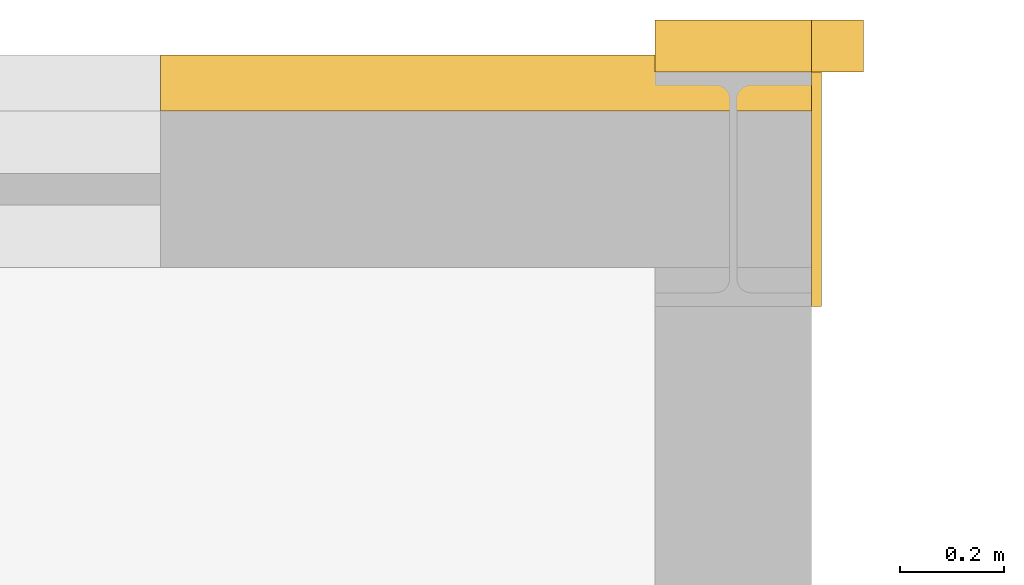
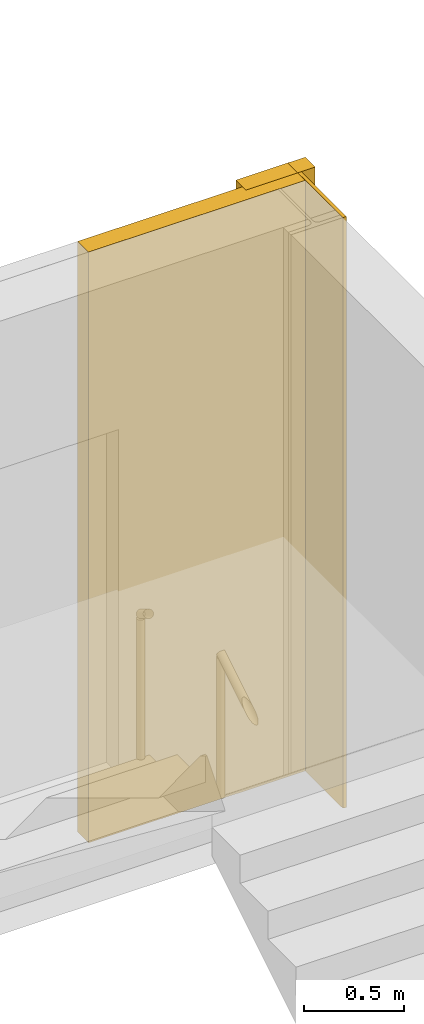
# One storey, part 118 of 120: 4 coverings.
"""IFC4 building model written with IfcOpenShell, lengths in metres."""

import ifcopenshell
import ifcopenshell.guid

model = None  # the IFC model being written
_history = None  # IfcOwnerHistory: only IFC2X3 demands one
_inside = {}  # id of a spatial element -> (the spatial element, [elements in it])
_under = {}  # id of a project, library or spatial element -> (it, [spatial elements below it])
_declared = {}  # id of a project -> (the project, [libraries it declares])
_typed = {}  # id of a type object -> (the type object, [elements of that type])
_made_of = {}  # id of a material, layer set ... -> (it, [elements and type objects made of it])


def new_model(schema):
    """Start an empty IFC model of exactly this schema.

    Asked for "IFC4X3", IfcOpenShell would pick the latest addendum, in which some entities
    have other attributes; the version numbers below select the first issue.
    IFC2X3 requires an IfcOwnerHistory on every rooted entity: one is made here for all.
    """
    global model, _history
    if schema == "IFC4X3":
        model = ifcopenshell.file(schema_version=(4, 3, 0, 0))
    else:
        model = ifcopenshell.file(schema=schema)
    _inside.clear()
    _under.clear()
    _declared.clear()
    _typed.clear()
    _made_of.clear()
    _history = None
    if model.schema == "IFC2X3":
        org = make("IfcOrganization", Name="unknown")
        user = make(
            "IfcPersonAndOrganization",
            ThePerson=make("IfcPerson", FamilyName="unknown"),
            TheOrganization=org,
        )
        app = make(
            "IfcApplication",
            ApplicationDeveloper=org,
            Version="unknown",
            ApplicationFullName="unknown",
            ApplicationIdentifier="unknown",
        )
        _history = make(
            "IfcOwnerHistory",
            OwningUser=user,
            OwningApplication=app,
            ChangeAction="ADDED",
            CreationDate=0,
        )
    return model


def make(cls, **values):
    """One entity of the class cls with the attributes given. An attribute that is None is left unset."""
    return model.create_entity(
        cls, **{name: value for name, value in values.items() if value is not None}
    )


def rooted(cls, **values):
    """An entity with a GlobalId (a new one), such as an element, a storey or a relation."""
    return make(cls, GlobalId=ifcopenshell.guid.new(), OwnerHistory=_history, **values)


def si_unit(unit_type, name, prefix=None):
    """IfcSIUnit, for example si_unit("LENGTHUNIT", "METRE", prefix="MILLI")."""
    return make("IfcSIUnit", UnitType=unit_type, Prefix=prefix, Name=name)


def assignment(units):
    """IfcUnitAssignment: the units of a project."""
    return None if units is None else make("IfcUnitAssignment", Units=units)


def point(xyz):
    """IfcCartesianPoint."""
    return None if xyz is None else make("IfcCartesianPoint", Coordinates=xyz)


def direction(xyz):
    """IfcDirection."""
    return None if xyz is None else make("IfcDirection", DirectionRatios=xyz)


def frame(location, z_axis=None, x_axis=None):
    """IfcAxis2Placement3D, a coordinate frame: its origin and axes. An axis left out is left unset."""
    return make(
        "IfcAxis2Placement3D",
        Location=point(location),
        Axis=direction(z_axis),
        RefDirection=direction(x_axis),
    )


def frame_2d(location, x_axis=None):
    """IfcAxis2Placement2D, a coordinate frame in the plane: its origin and x axis."""
    return make(
        "IfcAxis2Placement2D", Location=point(location), RefDirection=direction(x_axis)
    )


def origin():
    """The frame at (0, 0, 0) with its axes left unset."""
    return frame((0.0, 0.0, 0.0))


def origin_2d():
    """The frame at (0, 0) in the plane with its x axis left unset."""
    return frame_2d((0.0, 0.0))


def place(relative_to, where):
    """IfcLocalPlacement: puts the frame where relative to a parent placement (None: the world)."""
    return make(
        "IfcLocalPlacement", PlacementRelTo=relative_to, RelativePlacement=where
    )


def context(
    kind, dimensions, precision=None, world=None, true_north=None, identifier=None
):
    """IfcGeometricRepresentationContext, for example the 3D "Model" context."""
    return make(
        "IfcGeometricRepresentationContext",
        ContextIdentifier=identifier,
        ContextType=kind,
        CoordinateSpaceDimension=dimensions,
        Precision=precision,
        WorldCoordinateSystem=world,
        TrueNorth=true_north,
    )


def subcontext(parent, identifier, kind, view, scale=None):
    """IfcGeometricRepresentationSubContext, for example "Body" below "Model"."""
    return make(
        "IfcGeometricRepresentationSubContext",
        ContextIdentifier=identifier,
        ContextType=kind,
        ParentContext=parent,
        TargetScale=scale,
        TargetView=view,
    )


def project(units=None, contexts=None):
    """IfcProject with its units and contexts."""
    return rooted(
        "IfcProject",
        Name="project",
        RepresentationContexts=contexts,
        UnitsInContext=assignment(units),
    )


def spatial(cls, under=None, at=None, **own):
    """A site, building, storey or space (cls), placed at a placement, below another one or the project."""
    s = rooted(cls, ObjectPlacement=at, **own)
    if under is not None:
        _under.setdefault(under.id(), (under, []))[1].append(s)
    return s


def profile(cls, at=None, kind="AREA", **sizes):
    """A parametric profile (cls). Its sizes go by their IFC names, for example OverallWidth=200.0."""
    return make(cls, ProfileType=kind, Position=at, **sizes)


def rectangle(**sizes):
    """IfcRectangleProfileDef."""
    return profile("IfcRectangleProfileDef", **sizes)


def extrude(swept, where, along, depth):
    """IfcExtrudedAreaSolid: the profile swept, set in the frame where, extruded along a direction by depth."""
    return make(
        "IfcExtrudedAreaSolid",
        SweptArea=swept,
        Position=where,
        ExtrudedDirection=direction(along),
        Depth=depth,
    )


def shape(context_of_items, identifier, shape_type, items):
    """IfcShapeRepresentation: the items that make up one representation, for example the "Body"."""
    return make(
        "IfcShapeRepresentation",
        ContextOfItems=context_of_items,
        RepresentationIdentifier=identifier,
        RepresentationType=shape_type,
        Items=items,
    )


def material(Name=None, Category=None):
    """IfcMaterial."""
    return make("IfcMaterial", Name=Name, Category=Category)


def layer(
    of_material, thickness, ventilated=None, Name=None, Category=None, Priority=None
):
    """IfcMaterialLayer: one layer of a wall or slab, of a material (None: an air gap)."""
    return make(
        "IfcMaterialLayer",
        Material=of_material,
        LayerThickness=thickness,
        IsVentilated=ventilated,
        Name=Name,
        Category=Category,
        Priority=Priority,
    )


def layer_set(layers, Name=None):
    """IfcMaterialLayerSet."""
    return make("IfcMaterialLayerSet", MaterialLayers=layers, LayerSetName=Name)


def made_of(thing, what):
    """Note that an element or type object is made of a material, layer set ...; save() writes the relation."""
    if what is not None:
        _made_of.setdefault(what.id(), (what, []))[1].append(thing)
    return thing


def type_object(cls, material=None, **own):
    """A type object (cls), such as IfcWallType, which elements share."""
    return made_of(rooted(cls, **own), material)


def element(
    cls,
    number,
    at=None,
    inside=None,
    cuts=None,
    type_object=None,
    material=None,
    context=None,
    identifier="Body",
    shape_type=None,
    held_by="IfcProductDefinitionShape",
    body=None,
    shapes=None,
    **own,
):
    """One element of the class cls, such as IfcWall. Its Tag is "e" and its number.

    at: its placement. inside: the storey or other place that contains it. cuts: it is an
    opening in that element (IfcRelVoidsElement). A single representation is given by context,
    identifier, shape_type and body (its items); several are given by shapes. held_by: the class
    of the entity that holds the representations. save() writes the other relations.
    """
    e = rooted(cls, Tag="e%d" % number, ObjectPlacement=at, **own)
    if body is not None:
        shapes = [shape(context, identifier, shape_type, body)]
    if shapes is not None:
        e.Representation = make(held_by, Representations=shapes)
    if inside is not None:
        _inside.setdefault(inside.id(), (inside, []))[1].append(e)
    if cuts is not None:
        rooted(
            "IfcRelVoidsElement", RelatingBuildingElement=cuts, RelatedOpeningElement=e
        )
    if type_object is not None:
        _typed.setdefault(type_object.id(), (type_object, []))[1].append(e)
    return made_of(e, material)


def aggregate(whole, parts):
    """IfcRelAggregates: a whole, such as a stair, and the parts it consists of."""
    return rooted("IfcRelAggregates", RelatingObject=whole, RelatedObjects=parts)


def save(model, path):
    """Write the relations noted so far, then the file.

    IfcRelAggregates (storeys below a building ...), IfcRelContainedInSpatialStructure (elements
    in a storey), IfcRelDefinesByType, IfcRelAssociatesMaterial and IfcRelDeclares: one each for
    every whole, place, type object, material and project.
    """
    for whole, parts in _under.values():
        aggregate(whole, parts)
    for where, things in _inside.values():
        rooted(
            "IfcRelContainedInSpatialStructure",
            RelatedElements=things,
            RelatingStructure=where,
        )
    for kind, things in _typed.values():
        rooted("IfcRelDefinesByType", RelatedObjects=things, RelatingType=kind)
    for what, things in _made_of.values():
        rooted("IfcRelAssociatesMaterial", RelatedObjects=things, RelatingMaterial=what)
    for by, libraries in _declared.values():
        rooted("IfcRelDeclares", RelatingContext=by, RelatedDefinitions=libraries)
    model.write(path)


model = new_model("IFC4")

# Units and contexts
model_context = context("Model", 3, precision=1e-05, world=origin(), true_north=direction((0.0, 1.0)))
body_context = subcontext(model_context, "Body", "Model", "MODEL_VIEW")
ifc_project = project(units=[si_unit("LENGTHUNIT", "METRE"), si_unit("AREAUNIT", "SQUARE_METRE"), si_unit("VOLUMEUNIT", "CUBIC_METRE"), si_unit("PLANEANGLEUNIT", "RADIAN"), si_unit("MASSUNIT", "GRAM", prefix="KILO")], contexts=[model_context])

# Site, building, storey
site_placement = place(None, origin())
site = spatial("IfcSite", under=ifc_project, at=site_placement, CompositionType="ELEMENT")
building_placement = place(site_placement, origin())
building = spatial("IfcBuilding", under=site, at=building_placement, Name="Kupolbacken Congress Centre", CompositionType="ELEMENT")
storey_placement = place(building_placement, frame((0.0, 0.0, 21.60009765625)))
storey = spatial("IfcBuildingStorey", under=building, at=storey_placement, Name="L06", CompositionType="ELEMENT", Elevation=21.60009765625)

# Coverings
ifc_material = material(Name="Brick cladding", Category="masonry")
ifc_layer = layer(ifc_material, 0.10791015625)
ifc_layer_set = layer_set([ifc_layer], Name="Brick cladding")
covering_type = type_object("IfcCoveringType", Name="CV2 brick cladding band 108", PredefinedType="CLADDING", material=ifc_layer_set)
covering_1_placement = place(storey_placement, frame((137.0, 144.27490234375, -0.000244140625), z_axis=(0.0, 0.0, 1.0), x_axis=(1.0, 0.0, 0.0)))
element("IfcCovering", 1, at=covering_1_placement, inside=storey, type_object=covering_type, Name="E/T/pilaster/L06/C-T-20W/corner", PredefinedType="CLADDING", context=body_context, shape_type="SweptSolid", body=[
    extrude(rectangle(XDim=0.10009765625, YDim=0.10009765625, at=origin_2d()), origin(), (0.0, 0.0, 1.0), 3.60009765625),
])
covering_2_placement = place(storey_placement, frame((136.9599609375, 144.0, -0.000244140625), z_axis=(0.0, 0.0, 1.0), x_axis=(1.0, 0.0, 0.0)))
element("IfcCovering", 2, at=covering_2_placement, inside=storey, type_object=covering_type, Name="E/T/pilaster/L06/C-T-20W/E", PredefinedType="CLADDING", context=body_context, shape_type="SweptSolid", body=[
    extrude(rectangle(XDim=0.02001953125, YDim=0.449951171875, at=origin_2d()), origin(), (0.0, 0.0, 1.0), 3.60009765625),
])
covering_3_placement = place(storey_placement, frame((136.800048828125, 144.27490234375, -0.000244140625), z_axis=(0.0, 0.0, 1.0), x_axis=(1.0, 0.0, 0.0)))
element("IfcCovering", 3, at=covering_3_placement, inside=storey, type_object=covering_type, Name="E/T/pilaster/L06/C-T-20W/N", PredefinedType="CLADDING", context=body_context, shape_type="SweptSolid", body=[
    extrude(rectangle(XDim=0.300048828125, YDim=0.10009765625, at=origin_2d()), origin(), (0.0, 0.0, 1.0), 3.60009765625),
])
covering_4_placement = place(storey_placement, frame((136.324951171875, 144.2041015625, -0.000244140625), z_axis=(0.0, 0.0, 1.0), x_axis=(-1.0, 0.0, 0.0)))
element("IfcCovering", 4, at=covering_4_placement, inside=storey, type_object=covering_type, Name="S/core/L06/131/face0", PredefinedType="CLADDING", context=body_context, shape_type="SweptSolid", body=[
    extrude(rectangle(XDim=1.25, YDim=0.10791015625, at=origin_2d()), origin(), (0.0, 0.0, 1.0), 3.60009765625),
])

save(model, "model.ifc")
